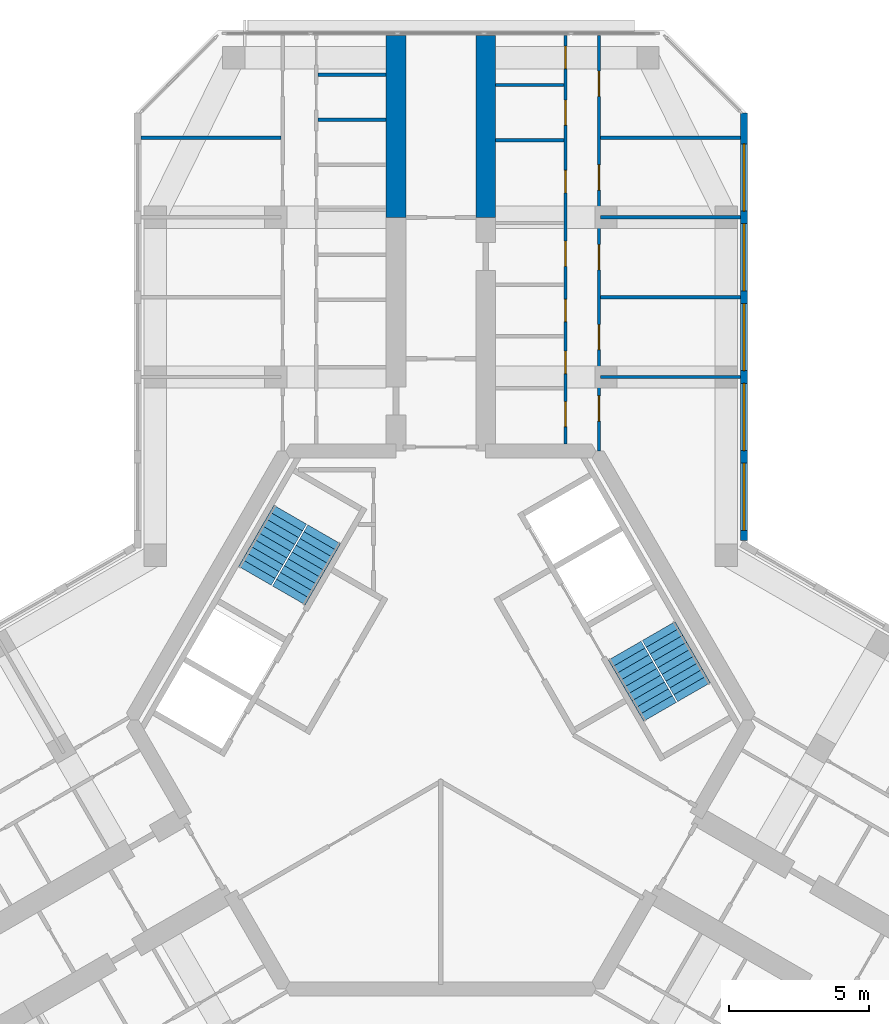
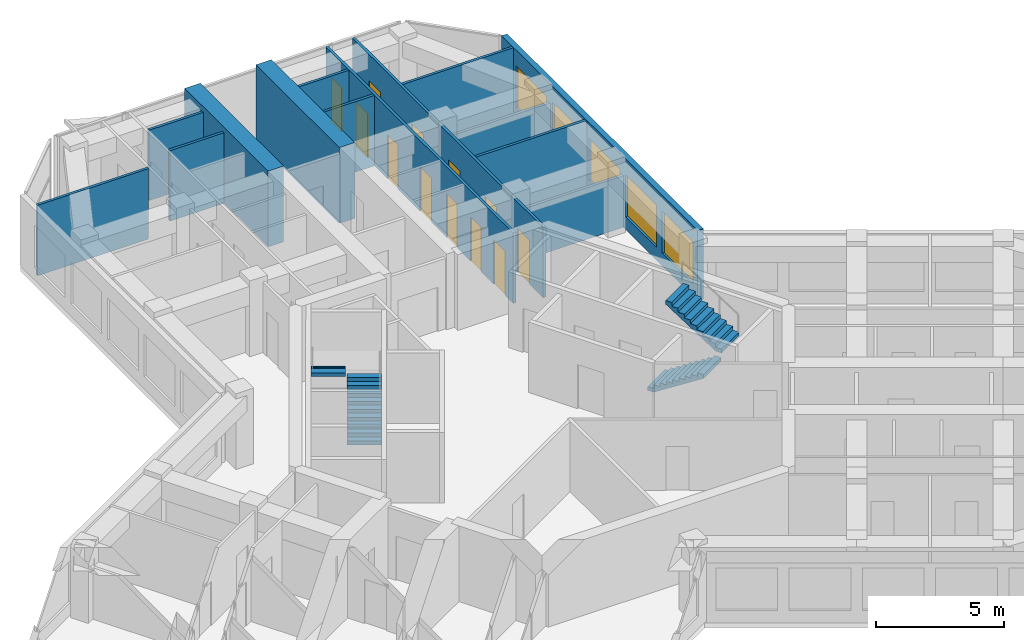
# One storey, part 13 of 14: 14 walls, 12 doors, 5 windows, 4 stair flights, 17 openings, 2 elements without a shape of their own.
"""IFC4 building model written with IfcOpenShell, lengths in metres."""

from ifc_helpers import new_model, si_unit, direction, frame, frame_2d, origin, place, context, subcontext, project, spatial, polyline, rectangle, outline, extrude, material, layer, layer_set, type_object, element, fill, aggregate, save


model = new_model("IFC4")

# Units and contexts
model_context = context("Model", 3, precision=1e-05, world=origin(), true_north=direction((0.0, 1.0)))
body_context = subcontext(model_context, "Body", "Model", "MODEL_VIEW")
ifc_project = project(units=[si_unit("LENGTHUNIT", "METRE"), si_unit("AREAUNIT", "SQUARE_METRE"), si_unit("VOLUMEUNIT", "CUBIC_METRE"), si_unit("PLANEANGLEUNIT", "RADIAN"), si_unit("MASSUNIT", "GRAM", prefix="KILO")], contexts=[model_context])

# Site, building, storey
site_placement = place(None, origin())
site = spatial("IfcSite", under=ifc_project, at=site_placement, CompositionType="ELEMENT")
building_placement = place(site_placement, origin())
building = spatial("IfcBuilding", under=site, at=building_placement, Name="Kosmar Iwan School Tower", CompositionType="ELEMENT")
storey_placement = place(building_placement, frame((0.0, 0.0, 292.60009765625)))
storey = spatial("IfcBuildingStorey", under=building, at=storey_placement, Name="L74", CompositionType="ELEMENT", Elevation=292.60009765625)

# Walls
ifc_material_1 = material(Name="Concrete C50/60", Category="concrete")
ifc_layer_1 = layer(ifc_material_1, 0.699951171875)
ifc_layer_set_1 = layer_set([ifc_layer_1], Name="Corridor buttress wall 700")
wall_type_1 = type_object("IfcWallType", Name="Corridor buttress wall 700", PredefinedType="SHEAR", material=ifc_layer_set_1)
for number, where, z_axis, x_axis, name in (
    (1, (-1.60009765625, 17.949951171875, 0.0), (0.0, 0.0, 1.0), (0.0, 1.0, 0.0), "Corridor wall AL bay 2"),
    (2, (1.60009765625, 17.949951171875, 0.0), (0.0, 0.0, 1.0), (0.0, 1.0, 0.0), "Corridor wall AR bay 2"),
):
    element("IfcWall", number, at=place(storey_placement, frame(where, z_axis=z_axis, x_axis=x_axis)), inside=storey, type_object=wall_type_1, Name=name, PredefinedType="SHEAR", context=body_context, shape_type="SweptSolid", body=[
        extrude(rectangle(XDim=6.4951171875, YDim=0.699951171875, at=frame_2d((3.24755859375, 0.0))), origin(), (0.0, 0.0, 1.0), 3.599853515625),
    ])
ifc_material_2 = material(Name="Gypsum board on steel studs", Category="steel")
ifc_layer_2 = layer(ifc_material_2, 0.1201171875)
ifc_layer_set_2 = layer_set([ifc_layer_2], Name="Dwelling partition 120")
wall_type_2 = type_object("IfcWallType", Name="Dwelling partition 120", PredefinedType="PARTITIONING", material=ifc_layer_set_2)
wall_1_placement = place(storey_placement, frame((-5.7099609375, 20.800048828125, 0.0), z_axis=(0.0, 0.0, 1.0), x_axis=(-1.0, 0.0, 0.0)))
element("IfcWall", 3, at=wall_1_placement, inside=storey, type_object=wall_type_2, Name="Partition L74-AL1-X4", PredefinedType="PARTITIONING", context=body_context, shape_type="SweptSolid", body=[
    extrude(rectangle(XDim=4.989990234375, YDim=0.1201171875, at=frame_2d((2.4951171875, 0.0))), origin(), (0.0, 0.0, 1.0), 3.349853515625),
])
for number, where, z_axis, x_axis, name in (
    (4, (-1.949951171875, 21.436767578125, 0.0), (0.0, 0.0, 1.0), (-1.0, 0.0, 0.0), "Partition L74-AL1-Y6"),
    (5, (-1.949951171875, 23.043212890625, 0.0), (0.0, 0.0, 1.0), (-1.0, 0.0, 0.0), "Partition L74-AL1-Y7"),
):
    element("IfcWall", number, at=place(storey_placement, frame(where, z_axis=z_axis, x_axis=x_axis)), inside=storey, type_object=wall_type_2, Name=name, PredefinedType="PARTITIONING", context=body_context, shape_type="SweptSolid", body=[
        extrude(rectangle(XDim=2.43994140625, YDim=0.1201171875, at=frame_2d((1.219970703125, 0.0))), origin(), (0.0, 0.0, 1.0), 3.349853515625),
    ])

# Wall, openings, doors
wall_2_placement = place(storey_placement, frame((4.449951171875, 9.85009765625, 0.0), z_axis=(0.0, 0.0, 1.0), x_axis=(0.0, 1.0, 0.0)))
wall_2 = element("IfcWall", 6, at=wall_2_placement, inside=storey, type_object=wall_type_2, Name="Partition L74-AR1-W1", PredefinedType="PARTITIONING", context=body_context, shape_type="SweptSolid", body=[
    extrude(rectangle(XDim=14.594970703125, YDim=0.1201171875, at=frame_2d((7.29736328125, 0.0))), origin(), (0.0, 0.0, 1.0), 3.349853515625),
])
opening_1_placement = place(wall_2_placement, frame((0.625, 0.0, 0.0)))
opening_1 = element("IfcOpeningElement", 7, at=opening_1_placement, cuts=wall_2, Name="Opening D2", PredefinedType="OPENING", context=body_context, shape_type="SweptSolid", body=[
    extrude(rectangle(XDim=0.89990234375, YDim=2.10009765625, at=frame_2d((0.449951171875, 1.050048828125))), frame((0.0, 0.072021484375, 0.0), z_axis=(0.0, -1.0, 0.0), x_axis=(1.0, 0.0, 0.0)), (0.0, 0.0, 1.0), 0.14404296875),
])
opening_2_placement = place(wall_2_placement, frame((2.52490234375, 0.0, 0.0)))
opening_2 = element("IfcOpeningElement", 8, at=opening_2_placement, cuts=wall_2, Name="Opening D3", PredefinedType="OPENING", context=body_context, shape_type="SweptSolid", body=[
    extrude(rectangle(XDim=0.800048828125, YDim=2.10009765625, at=frame_2d((0.39990234375, 1.050048828125))), frame((0.0, 0.072021484375, 0.0), z_axis=(0.0, -1.0, 0.0), x_axis=(1.0, 0.0, 0.0)), (0.0, 0.0, 1.0), 0.14404296875),
])
opening_3_placement = place(wall_2_placement, frame((4.375, 0.0, 0.0)))
opening_3 = element("IfcOpeningElement", 9, at=opening_3_placement, cuts=wall_2, Name="Opening D3", PredefinedType="OPENING", context=body_context, shape_type="SweptSolid", body=[
    extrude(rectangle(XDim=0.800048828125, YDim=2.10009765625, at=frame_2d((0.39990234375, 1.050048828125))), frame((0.0, 0.072021484375, 0.0), z_axis=(0.0, -1.0, 0.0), x_axis=(1.0, 0.0, 0.0)), (0.0, 0.0, 1.0), 0.14404296875),
])
opening_4_placement = place(wall_2_placement, frame((6.35009765625, 0.0, 0.0)))
opening_4 = element("IfcOpeningElement", 10, at=opening_4_placement, cuts=wall_2, Name="Opening D2", PredefinedType="OPENING", context=body_context, shape_type="SweptSolid", body=[
    extrude(rectangle(XDim=0.89990234375, YDim=2.10009765625, at=frame_2d((0.449951171875, 1.050048828125))), frame((0.0, 0.072021484375, 0.0), z_axis=(0.0, -1.0, 0.0), x_axis=(1.0, 0.0, 0.0)), (0.0, 0.0, 1.0), 0.14404296875),
])
opening_5_placement = place(wall_2_placement, frame((8.978515625, 0.0, 0.0)))
opening_5 = element("IfcOpeningElement", 11, at=opening_5_placement, cuts=wall_2, Name="Opening D3", PredefinedType="OPENING", context=body_context, shape_type="SweptSolid", body=[
    extrude(rectangle(XDim=0.800048828125, YDim=2.10009765625, at=frame_2d((0.39990234375, 1.050048828125))), frame((0.0, 0.072021484375, 0.0), z_axis=(0.0, -1.0, 0.0), x_axis=(1.0, 0.0, 0.0)), (0.0, 0.0, 1.0), 0.14404296875),
])
opening_6_placement = place(wall_2_placement, frame((11.392822265625, 0.0, 0.0)))
opening_6 = element("IfcOpeningElement", 12, at=opening_6_placement, cuts=wall_2, Name="Opening D2", PredefinedType="OPENING", context=body_context, shape_type="SweptSolid", body=[
    extrude(rectangle(XDim=0.89990234375, YDim=2.10009765625, at=frame_2d((0.449951171875, 1.050048828125))), frame((0.0, 0.072021484375, 0.0), z_axis=(0.0, -1.0, 0.0), x_axis=(1.0, 0.0, 0.0)), (0.0, 0.0, 1.0), 0.14404296875),
])
opening_7_placement = place(wall_2_placement, frame((13.414306640625, 0.0, 0.0)))
opening_7 = element("IfcOpeningElement", 13, at=opening_7_placement, cuts=wall_2, Name="Opening D3", PredefinedType="OPENING", context=body_context, shape_type="SweptSolid", body=[
    extrude(rectangle(XDim=0.800048828125, YDim=2.10009765625, at=frame_2d((0.39990234375, 1.050048828125))), frame((0.0, 0.072021484375, 0.0), z_axis=(0.0, -1.0, 0.0), x_axis=(1.0, 0.0, 0.0)), (0.0, 0.0, 1.0), 0.14404296875),
])
ifc_material_3 = material(Name="Timber door in timber frame", Category="wood")
door_type_1 = type_object("IfcDoorType", Name="Internal door 900x2100", OperationType="SINGLE_SWING_LEFT", PredefinedType="DOOR", material=ifc_material_3)
door_1_placement = place(opening_1_placement, origin())
door_1 = element("IfcDoor", 14, at=door_1_placement, inside=storey, type_object=door_type_1, Name="Utility room door L74-AR1-S1", OperationType="SINGLE_SWING_RIGHT", OverallHeight=2.10009765625, OverallWidth=0.89990234375, PredefinedType="DOOR", context=body_context, shape_type="SweptSolid", body=[
    extrude(rectangle(XDim=0.89990234375, YDim=2.10009765625, at=frame_2d((0.449951171875, 1.050048828125))), frame((0.0, 0.02490234375, 0.0), z_axis=(0.0, -1.0, 0.0), x_axis=(1.0, 0.0, 0.0)), (0.0, 0.0, 1.0), 0.050048828125),
])
fill(opening_1, door_1)
door_2_placement = place(opening_4_placement, origin())
door_2 = element("IfcDoor", 15, at=door_2_placement, inside=storey, type_object=door_type_1, Name="Entrance hall door L74-AR1-S4", OperationType="SINGLE_SWING_LEFT", OverallHeight=2.10009765625, OverallWidth=0.89990234375, PredefinedType="DOOR", context=body_context, shape_type="SweptSolid", body=[
    extrude(rectangle(XDim=0.89990234375, YDim=2.10009765625, at=frame_2d((0.449951171875, 1.050048828125))), frame((0.0, 0.02490234375, 0.0), z_axis=(0.0, -1.0, 0.0), x_axis=(1.0, 0.0, 0.0)), (0.0, 0.0, 1.0), 0.050048828125),
])
fill(opening_4, door_2)
door_3_placement = place(opening_6_placement, origin())
door_3 = element("IfcDoor", 16, at=door_3_placement, inside=storey, type_object=door_type_1, Name="Pantry door L74-AR1-S6", OperationType="SINGLE_SWING_LEFT", OverallHeight=2.10009765625, OverallWidth=0.89990234375, PredefinedType="DOOR", context=body_context, shape_type="SweptSolid", body=[
    extrude(rectangle(XDim=0.89990234375, YDim=2.10009765625, at=frame_2d((0.449951171875, 1.050048828125))), frame((0.0, 0.02490234375, 0.0), z_axis=(0.0, -1.0, 0.0), x_axis=(1.0, 0.0, 0.0)), (0.0, 0.0, 1.0), 0.050048828125),
])
fill(opening_6, door_3)
ifc_material_4 = material(Name="Timber door in timber frame", Category="wood")
door_type_2 = type_object("IfcDoorType", Name="Sanitary room door 800x2100", OperationType="SINGLE_SWING_LEFT", PredefinedType="DOOR", material=ifc_material_4)
door_4_placement = place(opening_2_placement, origin())
door_4 = element("IfcDoor", 17, at=door_4_placement, inside=storey, type_object=door_type_2, Name="WC door L74-AR1-S2", OperationType="SINGLE_SWING_LEFT", OverallHeight=2.10009765625, OverallWidth=0.800048828125, PredefinedType="DOOR", context=body_context, shape_type="SweptSolid", body=[
    extrude(rectangle(XDim=0.800048828125, YDim=2.10009765625, at=frame_2d((0.39990234375, 1.050048828125))), frame((0.0, 0.02490234375, 0.0), z_axis=(0.0, -1.0, 0.0), x_axis=(1.0, 0.0, 0.0)), (0.0, 0.0, 1.0), 0.050048828125),
])
fill(opening_2, door_4)
door_5_placement = place(opening_3_placement, origin())
door_5 = element("IfcDoor", 18, at=door_5_placement, inside=storey, type_object=door_type_2, Name="Shower room door L74-AR1-S3", OperationType="SINGLE_SWING_RIGHT", OverallHeight=2.10009765625, OverallWidth=0.800048828125, PredefinedType="DOOR", context=body_context, shape_type="SweptSolid", body=[
    extrude(rectangle(XDim=0.800048828125, YDim=2.10009765625, at=frame_2d((0.39990234375, 1.050048828125))), frame((0.0, 0.02490234375, 0.0), z_axis=(0.0, -1.0, 0.0), x_axis=(1.0, 0.0, 0.0)), (0.0, 0.0, 1.0), 0.050048828125),
])
fill(opening_3, door_5)
door_6_placement = place(opening_5_placement, origin())
door_6 = element("IfcDoor", 19, at=door_6_placement, inside=storey, type_object=door_type_2, Name="Bathroom door L74-AR1-S5", OperationType="SINGLE_SWING_RIGHT", OverallHeight=2.10009765625, OverallWidth=0.800048828125, PredefinedType="DOOR", context=body_context, shape_type="SweptSolid", body=[
    extrude(rectangle(XDim=0.800048828125, YDim=2.10009765625, at=frame_2d((0.39990234375, 1.050048828125))), frame((0.0, 0.02490234375, 0.0), z_axis=(0.0, -1.0, 0.0), x_axis=(1.0, 0.0, 0.0)), (0.0, 0.0, 1.0), 0.050048828125),
])
fill(opening_5, door_6)
door_7_placement = place(opening_7_placement, origin())
door_7 = element("IfcDoor", 20, at=door_7_placement, inside=storey, type_object=door_type_2, Name="Store door L74-AR1-S7", OperationType="SINGLE_SWING_RIGHT", OverallHeight=2.10009765625, OverallWidth=0.800048828125, PredefinedType="DOOR", context=body_context, shape_type="SweptSolid", body=[
    extrude(rectangle(XDim=0.800048828125, YDim=2.10009765625, at=frame_2d((0.39990234375, 1.050048828125))), frame((0.0, 0.02490234375, 0.0), z_axis=(0.0, -1.0, 0.0), x_axis=(1.0, 0.0, 0.0)), (0.0, 0.0, 1.0), 0.050048828125),
])
fill(opening_7, door_7)

wall_3_placement = place(storey_placement, frame((5.64990234375, 9.60009765625, 0.0), z_axis=(0.0, 0.0, 1.0), x_axis=(0.0, 1.0, 0.0)))
wall_3 = element("IfcWall", 21, at=wall_3_placement, inside=storey, type_object=wall_type_2, Name="Partition L74-AR1-W2", PredefinedType="PARTITIONING", context=body_context, shape_type="SweptSolid", body=[
    extrude(rectangle(XDim=14.844970703125, YDim=0.1201171875, at=frame_2d((7.42236328125, 0.0))), origin(), (0.0, 0.0, 1.0), 3.349853515625),
])
opening_8_placement = place(wall_3_placement, frame((1.074951171875, 0.0, 0.0)))
opening_8 = element("IfcOpeningElement", 22, at=opening_8_placement, cuts=wall_3, Name="Opening D2", PredefinedType="OPENING", context=body_context, shape_type="SweptSolid", body=[
    extrude(rectangle(XDim=0.89990234375, YDim=2.10009765625, at=frame_2d((0.449951171875, 1.050048828125))), frame((0.0, 0.072021484375, 0.0), z_axis=(0.0, -1.0, 0.0), x_axis=(1.0, 0.0, 0.0)), (0.0, 0.0, 1.0), 0.14404296875),
])
opening_9_placement = place(wall_3_placement, frame((3.625, 0.0, 0.0)))
opening_9 = element("IfcOpeningElement", 23, at=opening_9_placement, cuts=wall_3, Name="Opening D2", PredefinedType="OPENING", context=body_context, shape_type="SweptSolid", body=[
    extrude(rectangle(XDim=0.89990234375, YDim=2.10009765625, at=frame_2d((0.449951171875, 1.050048828125))), frame((0.0, 0.072021484375, 0.0), z_axis=(0.0, -1.0, 0.0), x_axis=(1.0, 0.0, 0.0)), (0.0, 0.0, 1.0), 0.14404296875),
])
opening_10_placement = place(wall_3_placement, frame((6.47509765625, 0.0, 0.0)))
opening_10 = element("IfcOpeningElement", 24, at=opening_10_placement, cuts=wall_3, Name="Opening D2", PredefinedType="OPENING", context=body_context, shape_type="SweptSolid", body=[
    extrude(rectangle(XDim=0.89990234375, YDim=2.10009765625, at=frame_2d((0.449951171875, 1.050048828125))), frame((0.0, 0.072021484375, 0.0), z_axis=(0.0, -1.0, 0.0), x_axis=(1.0, 0.0, 0.0)), (0.0, 0.0, 1.0), 0.14404296875),
])
opening_11_placement = place(wall_3_placement, frame((9.324951171875, 0.0, 0.0)))
opening_11 = element("IfcOpeningElement", 25, at=opening_11_placement, cuts=wall_3, Name="Opening D2", PredefinedType="OPENING", context=body_context, shape_type="SweptSolid", body=[
    extrude(rectangle(XDim=0.89990234375, YDim=2.10009765625, at=frame_2d((0.449951171875, 1.050048828125))), frame((0.0, 0.072021484375, 0.0), z_axis=(0.0, -1.0, 0.0), x_axis=(1.0, 0.0, 0.0)), (0.0, 0.0, 1.0), 0.14404296875),
])
opening_12_placement = place(wall_3_placement, frame((12.675048828125, 0.0, 0.0)))
opening_12 = element("IfcOpeningElement", 26, at=opening_12_placement, cuts=wall_3, Name="Opening D2", PredefinedType="OPENING", context=body_context, shape_type="SweptSolid", body=[
    extrude(rectangle(XDim=0.89990234375, YDim=2.10009765625, at=frame_2d((0.449951171875, 1.050048828125))), frame((0.0, 0.072021484375, 0.0), z_axis=(0.0, -1.0, 0.0), x_axis=(1.0, 0.0, 0.0)), (0.0, 0.0, 1.0), 0.14404296875),
])
door_8_placement = place(opening_8_placement, origin())
door_8 = element("IfcDoor", 27, at=door_8_placement, inside=storey, type_object=door_type_1, Name="Living room door L74-AR1-F1", OperationType="SINGLE_SWING_LEFT", OverallHeight=2.10009765625, OverallWidth=0.89990234375, PredefinedType="DOOR", context=body_context, shape_type="SweptSolid", body=[
    extrude(rectangle(XDim=0.89990234375, YDim=2.10009765625, at=frame_2d((0.449951171875, 1.050048828125))), frame((0.0, 0.02490234375, 0.0), z_axis=(0.0, -1.0, 0.0), x_axis=(1.0, 0.0, 0.0)), (0.0, 0.0, 1.0), 0.050048828125),
])
fill(opening_8, door_8)
door_9_placement = place(opening_9_placement, origin())
door_9 = element("IfcDoor", 28, at=door_9_placement, inside=storey, type_object=door_type_1, Name="Study door L74-AR1-F2", OperationType="SINGLE_SWING_LEFT", OverallHeight=2.10009765625, OverallWidth=0.89990234375, PredefinedType="DOOR", context=body_context, shape_type="SweptSolid", body=[
    extrude(rectangle(XDim=0.89990234375, YDim=2.10009765625, at=frame_2d((0.449951171875, 1.050048828125))), frame((0.0, 0.02490234375, 0.0), z_axis=(0.0, -1.0, 0.0), x_axis=(1.0, 0.0, 0.0)), (0.0, 0.0, 1.0), 0.050048828125),
])
fill(opening_9, door_9)
door_10_placement = place(opening_10_placement, origin())
door_10 = element("IfcDoor", 29, at=door_10_placement, inside=storey, type_object=door_type_1, Name="Bedroom 2 door L74-AR1-F3", OperationType="SINGLE_SWING_LEFT", OverallHeight=2.10009765625, OverallWidth=0.89990234375, PredefinedType="DOOR", context=body_context, shape_type="SweptSolid", body=[
    extrude(rectangle(XDim=0.89990234375, YDim=2.10009765625, at=frame_2d((0.449951171875, 1.050048828125))), frame((0.0, 0.02490234375, 0.0), z_axis=(0.0, -1.0, 0.0), x_axis=(1.0, 0.0, 0.0)), (0.0, 0.0, 1.0), 0.050048828125),
])
fill(opening_10, door_10)
door_11_placement = place(opening_11_placement, origin())
door_11 = element("IfcDoor", 30, at=door_11_placement, inside=storey, type_object=door_type_1, Name="Kitchen and dining room door L74-AR1-F4", OperationType="SINGLE_SWING_RIGHT", OverallHeight=2.10009765625, OverallWidth=0.89990234375, PredefinedType="DOOR", context=body_context, shape_type="SweptSolid", body=[
    extrude(rectangle(XDim=0.89990234375, YDim=2.10009765625, at=frame_2d((0.449951171875, 1.050048828125))), frame((0.0, 0.02490234375, 0.0), z_axis=(0.0, -1.0, 0.0), x_axis=(1.0, 0.0, 0.0)), (0.0, 0.0, 1.0), 0.050048828125),
])
fill(opening_11, door_11)
door_12_placement = place(opening_12_placement, origin())
door_12 = element("IfcDoor", 31, at=door_12_placement, inside=storey, type_object=door_type_1, Name="Bedroom 1 door L74-AR1-F5", OperationType="SINGLE_SWING_RIGHT", OverallHeight=2.10009765625, OverallWidth=0.89990234375, PredefinedType="DOOR", context=body_context, shape_type="SweptSolid", body=[
    extrude(rectangle(XDim=0.89990234375, YDim=2.10009765625, at=frame_2d((0.449951171875, 1.050048828125))), frame((0.0, 0.02490234375, 0.0), z_axis=(0.0, -1.0, 0.0), x_axis=(1.0, 0.0, 0.0)), (0.0, 0.0, 1.0), 0.050048828125),
])
fill(opening_12, door_12)

# Walls
wall_4_placement = place(storey_placement, frame((5.7099609375, 12.25, 0.0), z_axis=(0.0, 0.0, 1.0), x_axis=(1.0, 0.0, 0.0)))
element("IfcWall", 32, at=wall_4_placement, inside=storey, type_object=wall_type_2, Name="Partition L74-AR1-X1", PredefinedType="PARTITIONING", context=body_context, shape_type="SweptSolid", body=[
    extrude(rectangle(XDim=4.989990234375, YDim=0.1201171875, at=frame_2d((2.4951171875, 0.0))), origin(), (0.0, 0.0, 1.0), 2.449951171875),
])
wall_5_placement = place(storey_placement, frame((5.7099609375, 15.10009765625, 0.0), z_axis=(0.0, 0.0, 1.0), x_axis=(1.0, 0.0, 0.0)))
element("IfcWall", 33, at=wall_5_placement, inside=storey, type_object=wall_type_2, Name="Partition L74-AR1-X2", PredefinedType="PARTITIONING", context=body_context, shape_type="SweptSolid", body=[
    extrude(rectangle(XDim=4.989990234375, YDim=0.1201171875, at=frame_2d((2.4951171875, 0.0))), origin(), (0.0, 0.0, 1.0), 3.349853515625),
])
wall_6_placement = place(storey_placement, frame((5.7099609375, 17.949951171875, 0.0), z_axis=(0.0, 0.0, 1.0), x_axis=(1.0, 0.0, 0.0)))
element("IfcWall", 34, at=wall_6_placement, inside=storey, type_object=wall_type_2, Name="Partition L74-AR1-X3", PredefinedType="PARTITIONING", context=body_context, shape_type="SweptSolid", body=[
    extrude(rectangle(XDim=4.989990234375, YDim=0.1201171875, at=frame_2d((2.4951171875, 0.0))), origin(), (0.0, 0.0, 1.0), 2.449951171875),
])
wall_7_placement = place(storey_placement, frame((5.7099609375, 20.800048828125, 0.0), z_axis=(0.0, 0.0, 1.0), x_axis=(1.0, 0.0, 0.0)))
element("IfcWall", 35, at=wall_7_placement, inside=storey, type_object=wall_type_2, Name="Partition L74-AR1-X4", PredefinedType="PARTITIONING", context=body_context, shape_type="SweptSolid", body=[
    extrude(rectangle(XDim=4.989990234375, YDim=0.1201171875, at=frame_2d((2.4951171875, 0.0))), origin(), (0.0, 0.0, 1.0), 3.349853515625),
])
for number, where, z_axis, x_axis, name in (
    (36, (1.949951171875, 20.70703125, 0.0), (0.0, 0.0, 1.0), (1.0, 0.0, 0.0), "Partition L74-AR1-Y5"),
    (37, (1.949951171875, 22.678466796875, 0.0), (0.0, 0.0, 1.0), (1.0, 0.0, 0.0), "Partition L74-AR1-Y6"),
):
    element("IfcWall", number, at=place(storey_placement, frame(where, z_axis=z_axis, x_axis=x_axis)), inside=storey, type_object=wall_type_2, Name=name, PredefinedType="PARTITIONING", context=body_context, shape_type="SweptSolid", body=[
        extrude(rectangle(XDim=2.43994140625, YDim=0.1201171875, at=frame_2d((1.219970703125, 0.0))), origin(), (0.0, 0.0, 1.0), 3.349853515625),
    ])

# Wall, openings, windows
ifc_material_5 = material(Name="Black aluminium rainscreen on insulated framing", Category="aluminium")
ifc_layer_3 = layer(ifc_material_5, 0.25)
ifc_layer_set_3 = layer_set([ifc_layer_3], Name="External wall rainscreen 250")
wall_type_3 = type_object("IfcWallType", Name="External wall rainscreen 250", PredefinedType="SOLIDWALL", material=ifc_layer_set_3)
wall_8_placement = place(storey_placement, frame((10.824951171875, 6.408935546875, 0.0), z_axis=(0.0, 0.0, 1.0), x_axis=(0.0, 1.0, 0.0)))
wall_8 = element("IfcWall", 38, at=wall_8_placement, inside=storey, type_object=wall_type_3, Name="External wall AR L74", PredefinedType="SOLIDWALL", context=body_context, shape_type="SweptSolid", body=[
    extrude(rectangle(XDim=15.2763671875, YDim=0.25, at=frame_2d((7.63818359375, 0.0))), origin(), (0.0, 0.0, 1.0), 3.349853515625),
])
opening_13_placement = place(wall_8_placement, frame((0.365966796875, 0.0, 0.60009765625)))
opening_13 = element("IfcOpeningElement", 39, at=opening_13_placement, cuts=wall_8, Name="Opening W6", PredefinedType="OPENING", context=body_context, shape_type="SweptSolid", body=[
    extrude(rectangle(XDim=2.39990234375, YDim=2.0, at=frame_2d((1.199951171875, 1.0))), frame((0.0, 0.136962890625, 0.0), z_axis=(0.0, -1.0, 0.0), x_axis=(1.0, 0.0, 0.0)), (0.0, 0.0, 1.0), 0.27392578125),
])
opening_14_placement = place(wall_8_placement, frame((3.216064453125, 0.0, 0.60009765625)))
opening_14 = element("IfcOpeningElement", 40, at=opening_14_placement, cuts=wall_8, Name="Opening W6", PredefinedType="OPENING", context=body_context, shape_type="SweptSolid", body=[
    extrude(rectangle(XDim=2.39990234375, YDim=2.0, at=frame_2d((1.199951171875, 1.0))), frame((0.0, 0.136962890625, 0.0), z_axis=(0.0, -1.0, 0.0), x_axis=(1.0, 0.0, 0.0)), (0.0, 0.0, 1.0), 0.27392578125),
])
opening_15_placement = place(wall_8_placement, frame((6.06591796875, 0.0, 0.60009765625)))
opening_15 = element("IfcOpeningElement", 41, at=opening_15_placement, cuts=wall_8, Name="Opening W6", PredefinedType="OPENING", context=body_context, shape_type="SweptSolid", body=[
    extrude(rectangle(XDim=2.39990234375, YDim=2.0, at=frame_2d((1.199951171875, 1.0))), frame((0.0, 0.136962890625, 0.0), z_axis=(0.0, -1.0, 0.0), x_axis=(1.0, 0.0, 0.0)), (0.0, 0.0, 1.0), 0.27392578125),
])
opening_16_placement = place(wall_8_placement, frame((8.916015625, 0.0, 0.60009765625)))
opening_16 = element("IfcOpeningElement", 42, at=opening_16_placement, cuts=wall_8, Name="Opening W6", PredefinedType="OPENING", context=body_context, shape_type="SweptSolid", body=[
    extrude(rectangle(XDim=2.39990234375, YDim=2.0, at=frame_2d((1.199951171875, 1.0))), frame((0.0, 0.136962890625, 0.0), z_axis=(0.0, -1.0, 0.0), x_axis=(1.0, 0.0, 0.0)), (0.0, 0.0, 1.0), 0.27392578125),
])
opening_17_placement = place(wall_8_placement, frame((11.76611328125, 0.0, 0.60009765625)))
opening_17 = element("IfcOpeningElement", 43, at=opening_17_placement, cuts=wall_8, Name="Opening W6", PredefinedType="OPENING", context=body_context, shape_type="SweptSolid", body=[
    extrude(rectangle(XDim=2.39990234375, YDim=2.0, at=frame_2d((1.199951171875, 1.0))), frame((0.0, 0.136962890625, 0.0), z_axis=(0.0, -1.0, 0.0), x_axis=(1.0, 0.0, 0.0)), (0.0, 0.0, 1.0), 0.27392578125),
])
ifc_material_6 = material(Name="Black aluminium frame with dark triple glazing", Category="aluminium")
window_type = type_object("IfcWindowType", Name="Window 2400x2000", PartitioningType="SINGLE_PANEL", PredefinedType="WINDOW", material=ifc_material_6)
window_1_placement = place(opening_13_placement, origin())
window_1 = element("IfcWindow", 44, at=window_1_placement, inside=storey, type_object=window_type, Name="Window AR L74 -1", OverallHeight=2.0, OverallWidth=2.39990234375, PartitioningType="SINGLE_PANEL", PredefinedType="WINDOW", context=body_context, shape_type="SweptSolid", body=[
    extrude(rectangle(XDim=2.39990234375, YDim=2.0, at=frame_2d((1.199951171875, 1.0))), frame((0.0, 0.030029296875, 0.0), z_axis=(0.0, -1.0, 0.0), x_axis=(1.0, 0.0, 0.0)), (0.0, 0.0, 1.0), 0.06005859375),
])
fill(opening_13, window_1)
window_2_placement = place(opening_14_placement, origin())
window_2 = element("IfcWindow", 45, at=window_2_placement, inside=storey, type_object=window_type, Name="Window AR L74 0", OverallHeight=2.0, OverallWidth=2.39990234375, PartitioningType="SINGLE_PANEL", PredefinedType="WINDOW", context=body_context, shape_type="SweptSolid", body=[
    extrude(rectangle(XDim=2.39990234375, YDim=2.0, at=frame_2d((1.199951171875, 1.0))), frame((0.0, 0.030029296875, 0.0), z_axis=(0.0, -1.0, 0.0), x_axis=(1.0, 0.0, 0.0)), (0.0, 0.0, 1.0), 0.06005859375),
])
fill(opening_14, window_2)
window_3_placement = place(opening_15_placement, origin())
window_3 = element("IfcWindow", 46, at=window_3_placement, inside=storey, type_object=window_type, Name="Window AR L74 1", OverallHeight=2.0, OverallWidth=2.39990234375, PartitioningType="SINGLE_PANEL", PredefinedType="WINDOW", context=body_context, shape_type="SweptSolid", body=[
    extrude(rectangle(XDim=2.39990234375, YDim=2.0, at=frame_2d((1.199951171875, 1.0))), frame((0.0, 0.030029296875, 0.0), z_axis=(0.0, -1.0, 0.0), x_axis=(1.0, 0.0, 0.0)), (0.0, 0.0, 1.0), 0.06005859375),
])
fill(opening_15, window_3)
window_4_placement = place(opening_16_placement, origin())
window_4 = element("IfcWindow", 47, at=window_4_placement, inside=storey, type_object=window_type, Name="Window AR L74 2", OverallHeight=2.0, OverallWidth=2.39990234375, PartitioningType="SINGLE_PANEL", PredefinedType="WINDOW", context=body_context, shape_type="SweptSolid", body=[
    extrude(rectangle(XDim=2.39990234375, YDim=2.0, at=frame_2d((1.199951171875, 1.0))), frame((0.0, 0.030029296875, 0.0), z_axis=(0.0, -1.0, 0.0), x_axis=(1.0, 0.0, 0.0)), (0.0, 0.0, 1.0), 0.06005859375),
])
fill(opening_16, window_4)
window_5_placement = place(opening_17_placement, origin())
window_5 = element("IfcWindow", 48, at=window_5_placement, inside=storey, type_object=window_type, Name="Window AR L74 3", OverallHeight=2.0, OverallWidth=2.39990234375, PartitioningType="SINGLE_PANEL", PredefinedType="WINDOW", context=body_context, shape_type="SweptSolid", body=[
    extrude(rectangle(XDim=2.39990234375, YDim=2.0, at=frame_2d((1.199951171875, 1.0))), frame((0.0, 0.030029296875, 0.0), z_axis=(0.0, -1.0, 0.0), x_axis=(1.0, 0.0, 0.0)), (0.0, 0.0, 1.0), 0.06005859375),
])
fill(opening_17, window_5)

# Stair, stair flights
ifc_material_7 = material(Name="Concrete C35/45", Category="concrete")
stair_type = type_object("IfcStairType", Name="Core stair 2750", PredefinedType="HALF_TURN_STAIR", material=ifc_material_7)
stair_1_placement = place(storey_placement, origin())
stair_1 = element("IfcStair", 49, at=stair_1_placement, inside=storey, type_object=stair_type, Name="Stair ST2 L74", PredefinedType="HALF_TURN_STAIR")
ifc_material_8 = material(Name="Concrete C35/45", Category="concrete")
stair_flight_type = type_object("IfcStairFlightType", Name="Stair flight 1350", PredefinedType="STRAIGHT", material=ifc_material_8)
stair_flight_1_placement = place(storey_placement, frame((-5.42724609375, 4.44970703125, 0.0), z_axis=(0.0, 0.0, 1.0), x_axis=(0.5, 0.866025403784, 0.0)))
stair_flight_1 = element("IfcStairFlight", 50, at=stair_flight_1_placement, type_object=stair_flight_type, Name="ST2 flight 1", NumberOfRisers=10, NumberOfTreads=9, PredefinedType="STRAIGHT", RiserHeight=0.18, TreadLength=0.28, context=body_context, shape_type="SweptSolid", body=[
    extrude(outline(polyline([(0.0, 0.0), (0.0, 0.179931640625), (0.280029296875, 0.179931640625), (0.280029296875, 0.360107421875), (0.56005859375, 0.360107421875), (0.56005859375, 0.5400390625), (0.840087890625, 0.5400390625), (0.840087890625, 0.719970703125), (1.1201171875, 0.719970703125), (1.1201171875, 0.89990234375), (1.39990234375, 0.89990234375), (1.39990234375, 1.080078125), (1.679931640625, 1.080078125), (1.679931640625, 1.260009765625), (1.9599609375, 1.260009765625), (1.9599609375, 1.43994140625), (2.239990234375, 1.43994140625), (2.239990234375, 1.6201171875), (2.52001953125, 1.6201171875), (2.52001953125, 1.800048828125), (2.52001953125, 1.44189453125), (0.277099609375, 0.0), (0.0, 0.0)])), frame((0.0, 0.675048828125, 0.0), z_axis=(0.0, -1.0, 0.0), x_axis=(1.0, 0.0, 0.0)), (0.0, 0.0, 1.0), 1.35009765625),
])
stair_flight_2_placement = place(storey_placement, frame((-5.379638671875, 7.33203125, 1.7998046875), z_axis=(0.0, 0.0, 1.0), x_axis=(-0.5, -0.866025403784, 0.0)))
stair_flight_2 = element("IfcStairFlight", 51, at=stair_flight_2_placement, type_object=stair_flight_type, Name="ST2 flight 2", NumberOfRisers=10, NumberOfTreads=9, PredefinedType="STRAIGHT", RiserHeight=0.18, TreadLength=0.28, context=body_context, shape_type="SweptSolid", body=[
    extrude(outline(polyline([(0.0, 0.0), (0.0, 0.179931640625), (0.280029296875, 0.179931640625), (0.280029296875, 0.360107421875), (0.56005859375, 0.360107421875), (0.56005859375, 0.5400390625), (0.840087890625, 0.5400390625), (0.840087890625, 0.719970703125), (1.1201171875, 0.719970703125), (1.1201171875, 0.89990234375), (1.39990234375, 0.89990234375), (1.39990234375, 1.080078125), (1.679931640625, 1.080078125), (1.679931640625, 1.260009765625), (1.9599609375, 1.260009765625), (1.9599609375, 1.43994140625), (2.239990234375, 1.43994140625), (2.239990234375, 1.6201171875), (2.52001953125, 1.6201171875), (2.52001953125, 1.800048828125), (2.52001953125, 1.44189453125), (0.277099609375, 0.0), (0.0, 0.0)])), frame((0.0, 0.675048828125, 0.0), z_axis=(0.0, -1.0, 0.0), x_axis=(1.0, 0.0, 0.0)), (0.0, 0.0, 1.0), 1.35009765625),
])
aggregate(stair_1, [stair_flight_1, stair_flight_2])

stair_2_placement = place(storey_placement, origin())
stair_2 = element("IfcStair", 52, at=stair_2_placement, inside=storey, type_object=stair_type, Name="Stair ST1 L74", PredefinedType="HALF_TURN_STAIR")
stair_flight_3_placement = place(storey_placement, frame((6.567138671875, 2.475341796875, 0.0), z_axis=(0.0, 0.0, 1.0), x_axis=(0.5, -0.866025403784, 0.0)))
stair_flight_3 = element("IfcStairFlight", 53, at=stair_flight_3_placement, type_object=stair_flight_type, Name="ST1 flight 1", NumberOfRisers=10, NumberOfTreads=9, PredefinedType="STRAIGHT", RiserHeight=0.18, TreadLength=0.28, context=body_context, shape_type="SweptSolid", body=[
    extrude(outline(polyline([(0.0, 0.0), (0.0, 0.179931640625), (0.280029296875, 0.179931640625), (0.280029296875, 0.360107421875), (0.56005859375, 0.360107421875), (0.56005859375, 0.5400390625), (0.840087890625, 0.5400390625), (0.840087890625, 0.719970703125), (1.1201171875, 0.719970703125), (1.1201171875, 0.89990234375), (1.39990234375, 0.89990234375), (1.39990234375, 1.080078125), (1.679931640625, 1.080078125), (1.679931640625, 1.260009765625), (1.9599609375, 1.260009765625), (1.9599609375, 1.43994140625), (2.239990234375, 1.43994140625), (2.239990234375, 1.6201171875), (2.52001953125, 1.6201171875), (2.52001953125, 1.800048828125), (2.52001953125, 1.44189453125), (0.277099609375, 0.0), (0.0, 0.0)])), frame((0.0, 0.675048828125, 0.0), z_axis=(0.0, -1.0, 0.0), x_axis=(1.0, 0.0, 0.0)), (0.0, 0.0, 1.0), 1.35009765625),
])
stair_flight_4_placement = place(storey_placement, frame((9.03955078125, 0.992919921875, 1.7998046875), z_axis=(0.0, 0.0, 1.0), x_axis=(-0.5, 0.866025403784, 0.0)))
stair_flight_4 = element("IfcStairFlight", 54, at=stair_flight_4_placement, type_object=stair_flight_type, Name="ST1 flight 2", NumberOfRisers=10, NumberOfTreads=9, PredefinedType="STRAIGHT", RiserHeight=0.18, TreadLength=0.28, context=body_context, shape_type="SweptSolid", body=[
    extrude(outline(polyline([(0.0, 0.0), (0.0, 0.179931640625), (0.280029296875, 0.179931640625), (0.280029296875, 0.360107421875), (0.56005859375, 0.360107421875), (0.56005859375, 0.5400390625), (0.840087890625, 0.5400390625), (0.840087890625, 0.719970703125), (1.1201171875, 0.719970703125), (1.1201171875, 0.89990234375), (1.39990234375, 0.89990234375), (1.39990234375, 1.080078125), (1.679931640625, 1.080078125), (1.679931640625, 1.260009765625), (1.9599609375, 1.260009765625), (1.9599609375, 1.43994140625), (2.239990234375, 1.43994140625), (2.239990234375, 1.6201171875), (2.52001953125, 1.6201171875), (2.52001953125, 1.800048828125), (2.52001953125, 1.44189453125), (0.277099609375, 0.0), (0.0, 0.0)])), frame((0.0, 0.675048828125, 0.0), z_axis=(0.0, -1.0, 0.0), x_axis=(1.0, 0.0, 0.0)), (0.0, 0.0, 1.0), 1.35009765625),
])
aggregate(stair_2, [stair_flight_3, stair_flight_4])

save(model, "model.ifc")
